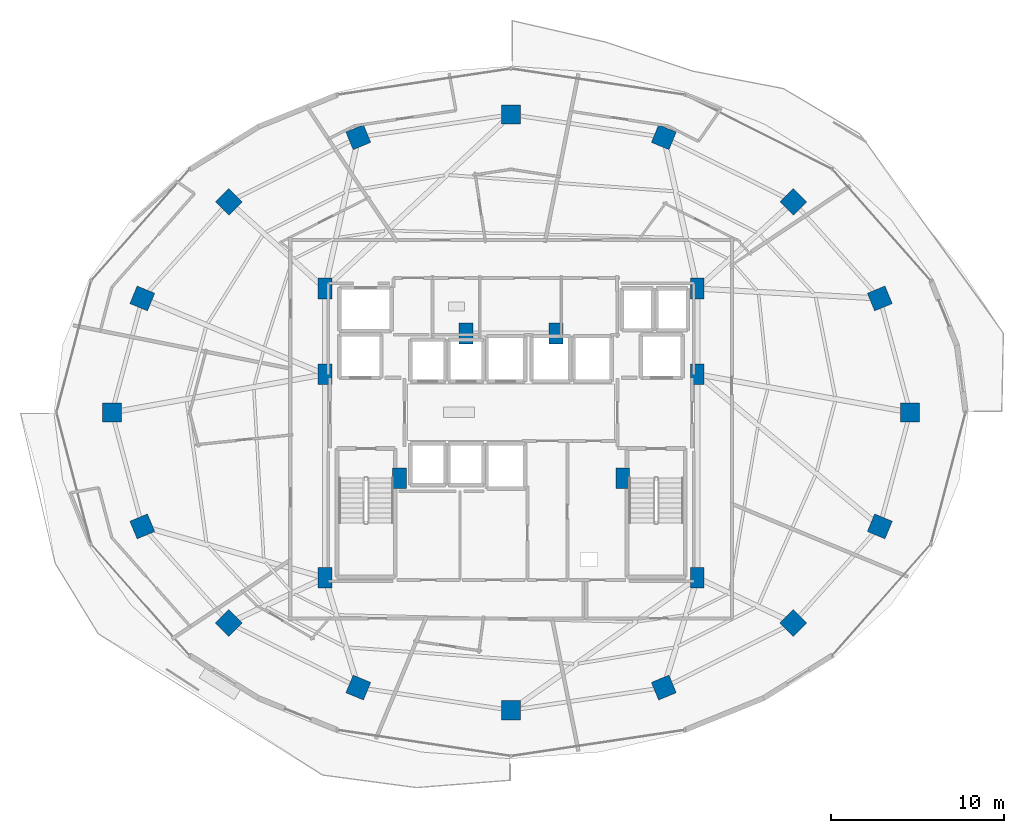
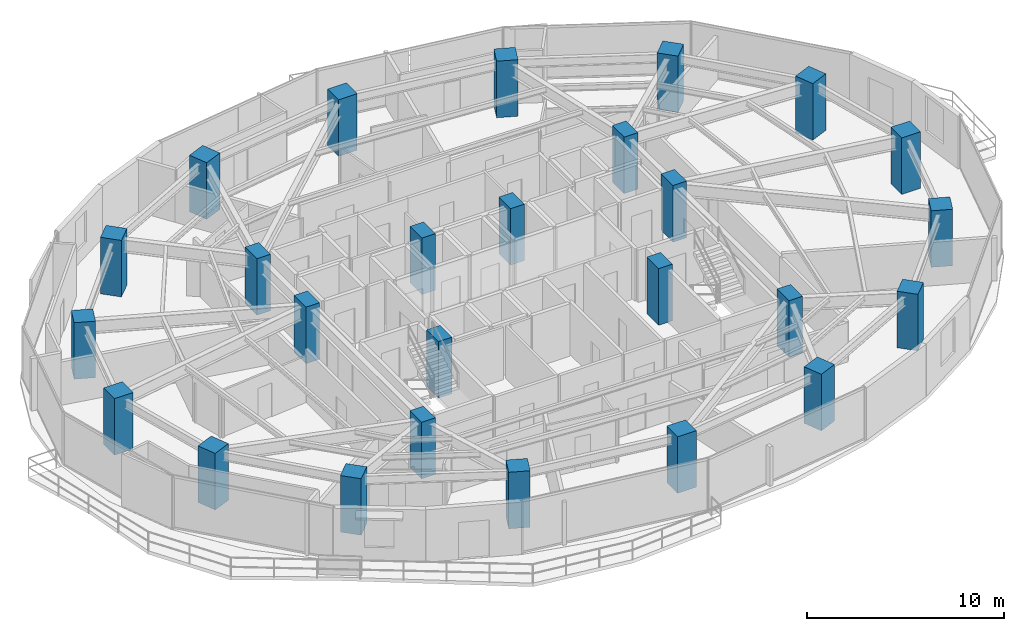
# One storey, part 1 of 29: 26 columns.
"""IFC4 building model written with IfcOpenShell, lengths in metres."""

from ifc_helpers import new_model, si_unit, direction, frame, origin, origin_2d, place, context, subcontext, project, spatial, rectangle, extrude, material, material_profile, profile_set, type_object, element, save


model = new_model("IFC4")

# Units and contexts
model_context = context("Model", 3, precision=1e-05, world=origin(), true_north=direction((0.0, 1.0)))
body_context = subcontext(model_context, "Body", "Model", "MODEL_VIEW")
ifc_project = project(units=[si_unit("LENGTHUNIT", "METRE"), si_unit("AREAUNIT", "SQUARE_METRE"), si_unit("VOLUMEUNIT", "CUBIC_METRE"), si_unit("PLANEANGLEUNIT", "RADIAN"), si_unit("MASSUNIT", "GRAM", prefix="KILO")], contexts=[model_context])

# Site, building, storey
site_placement = place(None, origin())
site = spatial("IfcSite", under=ifc_project, at=site_placement, CompositionType="ELEMENT")
building_placement = place(site_placement, origin())
building = spatial("IfcBuilding", under=site, at=building_placement, Name="Vorneva Point Tower", CompositionType="ELEMENT")
storey_placement = place(building_placement, frame((0.0, 0.0, 85.800048828125)))
storey = spatial("IfcBuildingStorey", under=building, at=storey_placement, Name="L22", CompositionType="ELEMENT", Elevation=85.800048828125)

# Columns
ifc_material = material(Name="Concrete B60 (C50/60)", Category="concrete")
ifc_material_profile_1 = material_profile(ifc_material, rectangle(XDim=1.10009765625, YDim=1.10009765625, at=origin_2d()), Name="RC-COL 1100x1100")
ifc_profile_set_1 = profile_set([ifc_material_profile_1], Name="Concrete B60 (C50/60)")
column_type_1 = type_object("IfcColumnType", Name="COL-RC1100", PredefinedType="COLUMN", material=ifc_profile_set_1)
for number, where, z_axis, x_axis, name in (
    (1, (61.050048828125, 26.0, 0.0), (0.0, 0.0, 1.0), (1.0, 0.0, 0.0), "L22 Perimeter Column P01"),
    (2, (59.29541015625, 32.582275390625, 0.0), (0.0, 0.0, 1.0), (0.923879532511, 0.382683432365, 0.0), "L22 Perimeter Column P02"),
    (3, (54.298828125, 38.162109375, 0.0), (0.0, 0.0, 1.0), (0.707106781187, 0.707106781187, 0.0), "L22 Perimeter Column P03"),
    (4, (46.82080078125, 41.890625, 0.0), (0.0, 0.0, 1.0), (0.382683432365, 0.923879532511, 0.0), "L22 Perimeter Column P04"),
    (5, (38.0, 43.199951171875, 0.0), (0.0, 0.0, 1.0), (0.0, 1.0, 0.0), "L22 Perimeter Column P05"),
    (6, (29.17919921875, 41.890625, 0.0), (0.0, 0.0, 1.0), (-0.382683432365, 0.923879532511, 0.0), "L22 Perimeter Column P06"),
    (7, (21.701171875, 38.162109375, 0.0), (0.0, 0.0, 1.0), (-0.707106781187, 0.707106781187, 0.0), "L22 Perimeter Column P07"),
    (8, (16.70458984375, 32.582275390625, 0.0), (0.0, 0.0, 1.0), (-0.923879532511, 0.382683432365, 0.0), "L22 Perimeter Column P08"),
    (9, (14.949951171875, 26.0, 0.0), (0.0, 0.0, 1.0), (-1.0, 0.0, 0.0), "L22 Perimeter Column P09"),
    (10, (16.70458984375, 19.417724609375, 0.0), (0.0, 0.0, 1.0), (-0.923879532511, -0.382683432365, 0.0), "L22 Perimeter Column P10"),
    (11, (21.701171875, 13.837890625, 0.0), (0.0, 0.0, 1.0), (-0.707106781187, -0.707106781187, 0.0), "L22 Perimeter Column P11"),
    (12, (29.17919921875, 10.109375, 0.0), (0.0, 0.0, 1.0), (-0.382683432365, -0.923879532511, 0.0), "L22 Perimeter Column P12"),
    (13, (38.0, 8.800048828125, 0.0), (0.0, 0.0, 1.0), (0.0, -1.0, 0.0), "L22 Perimeter Column P13"),
    (14, (46.82080078125, 10.109375, 0.0), (0.0, 0.0, 1.0), (0.382683432365, -0.923879532511, 0.0), "L22 Perimeter Column P14"),
    (15, (54.298828125, 13.837890625, 0.0), (0.0, 0.0, 1.0), (0.707106781187, -0.707106781187, 0.0), "L22 Perimeter Column P15"),
    (16, (59.29541015625, 19.417724609375, 0.0), (0.0, 0.0, 1.0), (0.923879532511, -0.382683432365, 0.0), "L22 Perimeter Column P16"),
):
    element("IfcColumn", number, at=place(storey_placement, frame(where, z_axis=z_axis, x_axis=x_axis)), inside=storey, type_object=column_type_1, Name=name, PredefinedType="COLUMN", context=body_context, shape_type="SweptSolid", body=[
        extrude(rectangle(XDim=1.10009765625, YDim=1.10009765625, at=origin_2d()), origin(), (0.0, 0.0, 1.0), 3.5),
    ])
ifc_material_profile_2 = material_profile(ifc_material, rectangle(XDim=0.800048828125, YDim=1.199951171875, at=origin_2d()), Name="RC-PIL 1200x800")
ifc_profile_set_2 = profile_set([ifc_material_profile_2], Name="Concrete B60 (C50/60)")
column_type_2 = type_object("IfcColumnType", Name="PIL-RC1200x800", PredefinedType="PILASTER", material=ifc_profile_set_2)
for number, where, z_axis, x_axis, name in (
    (17, (27.25, 16.449951171875, 0.0), (0.0, 0.0, 1.0), (1.0, 0.0, 0.0), "L22 Core Pilaster CP1"),
    (18, (27.25, 28.199951171875, 0.0), (0.0, 0.0, 1.0), (1.0, 0.0, 0.0), "L22 Core Pilaster CP2"),
    (19, (27.25, 33.14990234375, 0.0), (0.0, 0.0, 1.0), (1.0, 0.0, 0.0), "L22 Core Pilaster CP3"),
    (20, (31.550048828125, 22.199951171875, 0.0), (0.0, 0.0, 1.0), (1.0, 0.0, 0.0), "L22 Core Pilaster CP4"),
    (21, (48.75, 33.14990234375, 0.0), (0.0, 0.0, 1.0), (1.0, 0.0, 0.0), "L22 Core Pilaster CP5"),
    (22, (48.75, 28.199951171875, 0.0), (0.0, 0.0, 1.0), (1.0, 0.0, 0.0), "L22 Core Pilaster CP6"),
    (23, (48.75, 16.449951171875, 0.0), (0.0, 0.0, 1.0), (1.0, 0.0, 0.0), "L22 Core Pilaster CP7"),
    (24, (44.449951171875, 22.199951171875, 0.0), (0.0, 0.0, 1.0), (1.0, 0.0, 0.0), "L22 Core Pilaster CP8"),
    (25, (35.39990234375, 30.550048828125, 0.0), (0.0, 0.0, 1.0), (1.0, 0.0, 0.0), "L22 Core Pilaster CP9"),
    (26, (40.60009765625, 30.550048828125, 0.0), (0.0, 0.0, 1.0), (1.0, 0.0, 0.0), "L22 Core Pilaster CP10"),
):
    element("IfcColumn", number, at=place(storey_placement, frame(where, z_axis=z_axis, x_axis=x_axis)), inside=storey, type_object=column_type_2, Name=name, PredefinedType="PILASTER", context=body_context, shape_type="SweptSolid", body=[
        extrude(rectangle(XDim=0.800048828125, YDim=1.199951171875, at=origin_2d()), origin(), (0.0, 0.0, 1.0), 3.5),
    ])

save(model, "model.ifc")
